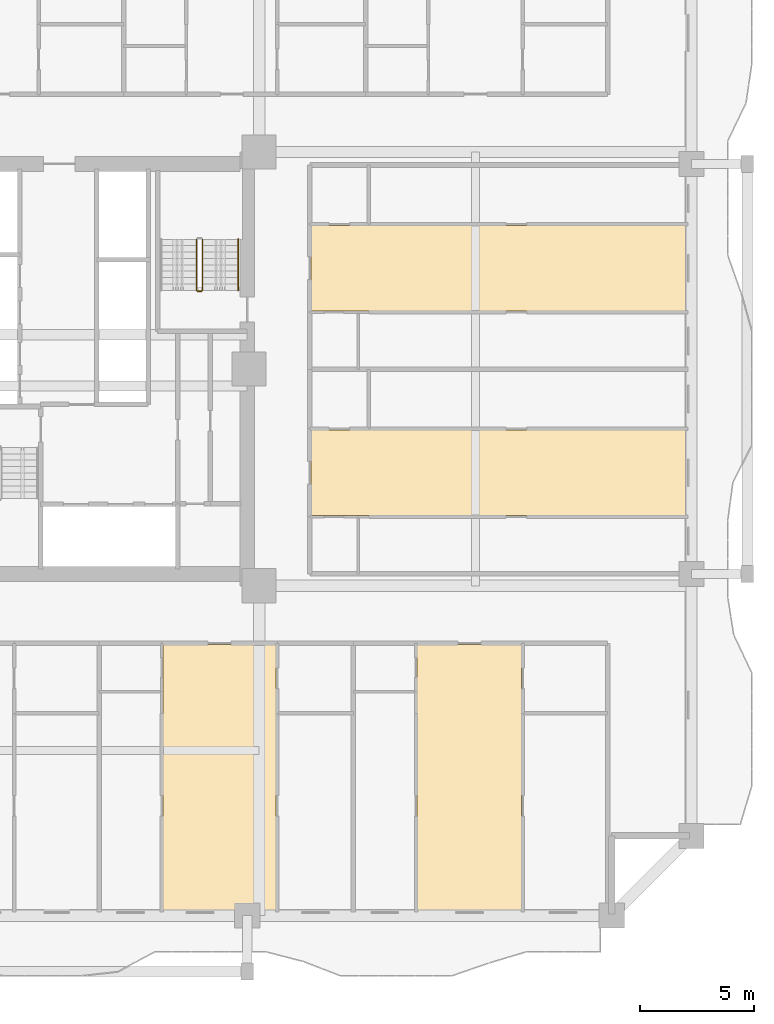
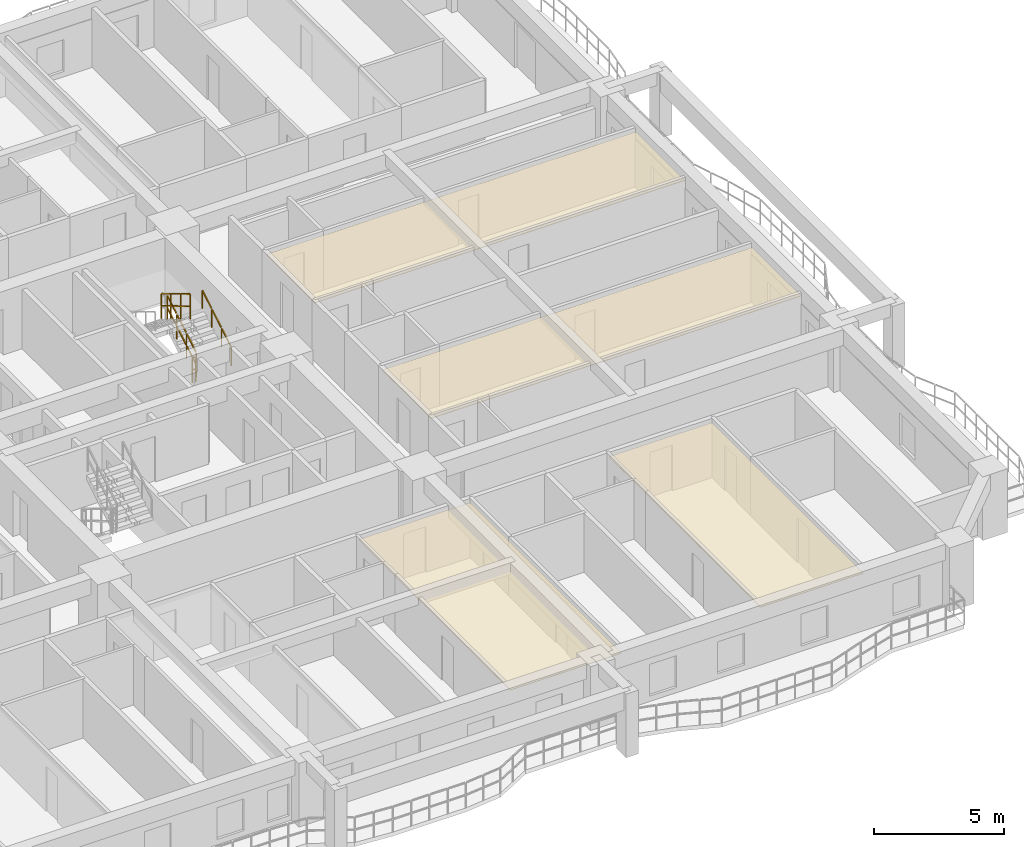
# One storey, part 13 of 16: 4 coverings, 4 railings.
"""IFC4 building model written with IfcOpenShell, lengths in metres."""

from ifc_helpers import new_model, si_unit, direction, frame, origin, origin_2d, place, context, subcontext, project, spatial, polyline, rectangle, outline, extrude, material, layer, layer_set, type_object, element, save


model = new_model("IFC4")

# Units and contexts
model_context = context("Model", 3, precision=1e-05, world=origin(), true_north=direction((0.0, 1.0)))
body_context = subcontext(model_context, "Body", "Model", "MODEL_VIEW")
ifc_project = project(units=[si_unit("LENGTHUNIT", "METRE"), si_unit("AREAUNIT", "SQUARE_METRE"), si_unit("VOLUMEUNIT", "CUBIC_METRE"), si_unit("PLANEANGLEUNIT", "RADIAN"), si_unit("MASSUNIT", "GRAM", prefix="KILO")], contexts=[model_context])

# Site, building, storey
site_placement = place(None, origin())
site = spatial("IfcSite", under=ifc_project, at=site_placement, CompositionType="ELEMENT")
building_placement = place(site_placement, origin())
building = spatial("IfcBuilding", under=site, at=building_placement, Name="Saelheon Loggia Tower", CompositionType="ELEMENT")
storey_placement = place(building_placement, frame((0.0, 0.0, 64.39990234375)))
storey = spatial("IfcBuildingStorey", under=building, at=storey_placement, Name="L20", CompositionType="ELEMENT", Elevation=64.39990234375)

# Coverings
ifc_material_1 = material(Name="Mineral-Fibre Acoustic Ceiling Board", Category="gypsum")
ifc_layer = layer(ifc_material_1, 0.02490234375)
ifc_layer_set = layer_set([ifc_layer], Name="Mineral-Fibre Acoustic Ceiling Board")
covering_type = type_object("IfcCoveringType", Name="Cov_Ceiling_Acoustic", PredefinedType="CEILING", material=ifc_layer_set)
covering_1_placement = place(storey_placement, frame((0.0, 0.0, 2.53515625)))
element("IfcCovering", 1, at=covering_1_placement, inside=storey, type_object=covering_type, Name="L20 Acoustic Suspended Ceiling", PredefinedType="CEILING", context=body_context, shape_type="SweptSolid", body=[
    extrude(outline(polyline([(40.800048828125, 3.199951171875), (45.77001953125, 3.199951171875), (45.77001953125, 14.89990234375), (40.800048828125, 14.89990234375), (40.800048828125, 3.199951171875)])), origin(), (0.0, 0.0, 1.0), 0.02490234375),
])
covering_2_placement = place(storey_placement, frame((0.0, 0.0, 2.53515625)))
element("IfcCovering", 2, at=covering_2_placement, inside=storey, type_object=covering_type, Name="L20 Acoustic Suspended Ceiling", PredefinedType="CEILING", context=body_context, shape_type="SweptSolid", body=[
    extrude(outline(polyline([(51.9599609375, 3.199951171875), (56.547119140625, 3.199951171875), (56.547119140625, 14.89990234375), (51.9599609375, 14.89990234375), (51.9599609375, 3.199951171875)])), origin(), (0.0, 0.0, 1.0), 0.02490234375),
])
covering_3_placement = place(storey_placement, frame((0.0, 0.0, 2.53515625)))
element("IfcCovering", 3, at=covering_3_placement, inside=storey, type_object=covering_type, Name="L20 Acoustic Suspended Ceiling", PredefinedType="CEILING", context=body_context, shape_type="SweptSolid", body=[
    extrude(outline(polyline([(47.300048828125, 20.56298828125), (63.800048828125, 20.56298828125), (63.800048828125, 24.324951171875), (47.300048828125, 24.324951171875), (47.300048828125, 20.56298828125)])), origin(), (0.0, 0.0, 1.0), 0.02490234375),
])
covering_4_placement = place(storey_placement, frame((0.0, 0.0, 2.53515625)))
element("IfcCovering", 4, at=covering_4_placement, inside=storey, type_object=covering_type, Name="L20 Acoustic Suspended Ceiling", PredefinedType="CEILING", context=body_context, shape_type="SweptSolid", body=[
    extrude(outline(polyline([(47.300048828125, 29.5380859375), (63.800048828125, 29.5380859375), (63.800048828125, 33.300048828125), (47.300048828125, 33.300048828125), (47.300048828125, 29.5380859375)])), origin(), (0.0, 0.0, 1.0), 0.02490234375),
])

# Railings
ifc_material_2 = material(Name="Galvanised Steel S275 Stairwell Guardrail", Category="steel")
railing_type_1 = type_object("IfcRailingType", Name="Guard_StairWell_RL_STG", PredefinedType="GUARDRAIL", material=ifc_material_2)
railing_1_placement = place(storey_placement, frame((42.5400390625, 30.449951171875, 0.166748046875)))
element("IfcRailing", 5, at=railing_1_placement, inside=storey, type_object=railing_type_1, Name="L20 ST2 stair guard 1", PredefinedType="GUARDRAIL", context=body_context, shape_type="SweptSolid", body=[
    extrude(rectangle(XDim=0.048095703125, YDim=0.048095703125, at=origin_2d()), frame((0.0, 0.028564453125, 1.19287109375), z_axis=(0.0, 0.859305625298, 0.511462454469), x_axis=(-1.0, 0.0, 0.0)), (0.0, 0.0, 1.0), 0.802490234375),
    extrude(rectangle(XDim=0.048095703125, YDim=0.048095703125, at=origin_2d()), frame((0.0, 0.028564453125, 0.616943359375), z_axis=(0.0, 0.859305625298, 0.511462454469), x_axis=(-1.0, 0.0, 0.0)), (0.0, 0.0, 1.0), 0.802490234375),
    extrude(rectangle(XDim=0.048095703125, YDim=0.048095703125, at=origin_2d()), frame((0.0, 0.775146484375, 1.63720703125), z_axis=(0.0, 0.859305625298, 0.511462454469), x_axis=(-1.0, 0.0, 0.0)), (0.0, 0.0, 1.0), 0.802490234375),
    extrude(rectangle(XDim=0.048095703125, YDim=0.048095703125, at=origin_2d()), frame((0.0, 0.775146484375, 1.061279296875), z_axis=(0.0, 0.859305625298, 0.511462454469), x_axis=(-1.0, 0.0, 0.0)), (0.0, 0.0, 1.0), 0.802490234375),
    extrude(rectangle(XDim=0.048095703125, YDim=0.048095703125, at=origin_2d()), frame((0.0, 1.52197265625, 2.081787109375), z_axis=(0.0, 0.859305625298, 0.511462454469), x_axis=(-1.0, 0.0, 0.0)), (0.0, 0.0, 1.0), 0.802490234375),
    extrude(rectangle(XDim=0.048095703125, YDim=0.048095703125, at=origin_2d()), frame((0.0, 1.52197265625, 1.505859375), z_axis=(0.0, 0.859305625298, 0.511462454469), x_axis=(-1.0, 0.0, 0.0)), (0.0, 0.0, 1.0), 0.802490234375),
    extrude(rectangle(XDim=0.0419921875, YDim=0.0419921875, at=origin_2d()), origin(), (0.0, 0.0, 1.0), 1.14794921875),
    extrude(rectangle(XDim=0.0419921875, YDim=0.0419921875, at=origin_2d()), frame((0.0, 0.74658203125, 0.4443359375)), (0.0, 0.0, 1.0), 1.14794921875),
    extrude(rectangle(XDim=0.0419921875, YDim=0.0419921875, at=origin_2d()), frame((0.0, 1.493408203125, 0.888916015625)), (0.0, 0.0, 1.0), 1.14794921875),
    extrude(rectangle(XDim=0.0419921875, YDim=0.0419921875, at=origin_2d()), frame((0.0, 2.239990234375, 1.333251953125)), (0.0, 0.0, 1.0), 1.14794921875),
])
railing_2_placement = place(storey_placement, frame((42.280029296875, 32.68994140625, 1.666748046875)))
element("IfcRailing", 6, at=railing_2_placement, inside=storey, type_object=railing_type_1, Name="L20 ST2 stair guard 3", PredefinedType="GUARDRAIL", context=body_context, shape_type="SweptSolid", body=[
    extrude(rectangle(XDim=0.048095703125, YDim=0.048095703125, at=origin_2d()), frame((0.0, -0.028564453125, 1.19287109375), z_axis=(0.0, -0.859305625298, 0.511462454469), x_axis=(1.0, 0.0, 0.0)), (0.0, 0.0, 1.0), 0.802490234375),
    extrude(rectangle(XDim=0.048095703125, YDim=0.048095703125, at=origin_2d()), frame((0.0, -0.028564453125, 0.616943359375), z_axis=(0.0, -0.859305625298, 0.511462454469), x_axis=(1.0, 0.0, 0.0)), (0.0, 0.0, 1.0), 0.802490234375),
    extrude(rectangle(XDim=0.048095703125, YDim=0.048095703125, at=origin_2d()), frame((0.0, -0.775146484375, 1.63720703125), z_axis=(0.0, -0.859305625298, 0.511462454469), x_axis=(1.0, 0.0, 0.0)), (0.0, 0.0, 1.0), 0.802490234375),
    extrude(rectangle(XDim=0.048095703125, YDim=0.048095703125, at=origin_2d()), frame((0.0, -0.775146484375, 1.061279296875), z_axis=(0.0, -0.859305625298, 0.511462454469), x_axis=(1.0, 0.0, 0.0)), (0.0, 0.0, 1.0), 0.802490234375),
    extrude(rectangle(XDim=0.048095703125, YDim=0.048095703125, at=origin_2d()), frame((0.0, -1.52197265625, 2.081787109375), z_axis=(0.0, -0.859305625298, 0.511462454469), x_axis=(1.0, 0.0, 0.0)), (0.0, 0.0, 1.0), 0.802490234375),
    extrude(rectangle(XDim=0.048095703125, YDim=0.048095703125, at=origin_2d()), frame((0.0, -1.52197265625, 1.505859375), z_axis=(0.0, -0.859305625298, 0.511462454469), x_axis=(1.0, 0.0, 0.0)), (0.0, 0.0, 1.0), 0.802490234375),
    extrude(rectangle(XDim=0.0419921875, YDim=0.0419921875, at=origin_2d()), origin(), (0.0, 0.0, 1.0), 1.14794921875),
    extrude(rectangle(XDim=0.0419921875, YDim=0.0419921875, at=origin_2d()), frame((0.0, -0.74658203125, 0.4443359375)), (0.0, 0.0, 1.0), 1.14794921875),
    extrude(rectangle(XDim=0.0419921875, YDim=0.0419921875, at=origin_2d()), frame((0.0, -1.493408203125, 0.888916015625)), (0.0, 0.0, 1.0), 1.14794921875),
    extrude(rectangle(XDim=0.0419921875, YDim=0.0419921875, at=origin_2d()), frame((0.0, -2.239990234375, 1.333251953125)), (0.0, 0.0, 1.0), 1.14794921875),
])
railing_3_placement = place(storey_placement, frame((42.489990234375, 30.39990234375, 0.0)))
element("IfcRailing", 7, at=railing_3_placement, inside=storey, type_object=railing_type_1, Name="L20 ST2 stair guard 4", PredefinedType="GUARDRAIL", context=body_context, shape_type="SweptSolid", body=[
    extrude(rectangle(XDim=0.048095703125, YDim=0.048095703125, at=origin_2d()), frame((-0.033203125, 0.0, 1.17578125), z_axis=(-1.0, 0.0, 0.0), x_axis=(0.0, -1.0, 0.0)), (0.0, 0.0, 1.0), 0.093505859375),
    extrude(rectangle(XDim=0.048095703125, YDim=0.048095703125, at=origin_2d()), frame((-0.033203125, 0.0, 0.60009765625), z_axis=(-1.0, 0.0, 0.0), x_axis=(0.0, -1.0, 0.0)), (0.0, 0.0, 1.0), 0.093505859375),
    extrude(rectangle(XDim=0.0419921875, YDim=0.0419921875, at=origin_2d()), origin(), (0.0, 0.0, 1.0), 1.14794921875),
    extrude(rectangle(XDim=0.0419921875, YDim=0.0419921875, at=origin_2d()), frame((-0.159912109375, 0.0, 0.0)), (0.0, 0.0, 1.0), 1.14794921875),
])
ifc_material_3 = material(Name="Stainless Steel 304 Tubular Handrail", Category="steel")
railing_type_2 = type_object("IfcRailingType", Name="Handrail_Stair_RL_HR1", PredefinedType="HANDRAIL", material=ifc_material_3)
railing_4_placement = place(storey_placement, frame((44.10009765625, 30.449951171875, 0.166748046875)))
element("IfcRailing", 8, at=railing_4_placement, inside=storey, type_object=railing_type_2, Name="L20 ST2 stair handrail 1", PredefinedType="HANDRAIL", context=body_context, shape_type="SweptSolid", body=[
    extrude(rectangle(XDim=0.048095703125, YDim=0.048095703125, at=origin_2d()), frame((0.0, 0.028564453125, 0.892822265625), z_axis=(0.0, 0.859305625298, 0.511462454469), x_axis=(-1.0, 0.0, 0.0)), (0.0, 0.0, 1.0), 0.802490234375),
    extrude(rectangle(XDim=0.048095703125, YDim=0.048095703125, at=origin_2d()), frame((0.0, 0.775146484375, 1.337158203125), z_axis=(0.0, 0.859305625298, 0.511462454469), x_axis=(-1.0, 0.0, 0.0)), (0.0, 0.0, 1.0), 0.802490234375),
    extrude(rectangle(XDim=0.048095703125, YDim=0.048095703125, at=origin_2d()), frame((0.0, 1.52197265625, 1.78173828125), z_axis=(0.0, 0.859305625298, 0.511462454469), x_axis=(-1.0, 0.0, 0.0)), (0.0, 0.0, 1.0), 0.802490234375),
    extrude(rectangle(XDim=0.0419921875, YDim=0.0419921875, at=origin_2d()), origin(), (0.0, 0.0, 1.0), 0.847900390625),
    extrude(rectangle(XDim=0.0419921875, YDim=0.0419921875, at=origin_2d()), frame((0.0, 0.74658203125, 0.4443359375)), (0.0, 0.0, 1.0), 0.847900390625),
    extrude(rectangle(XDim=0.0419921875, YDim=0.0419921875, at=origin_2d()), frame((0.0, 1.493408203125, 0.888916015625)), (0.0, 0.0, 1.0), 0.847900390625),
    extrude(rectangle(XDim=0.0419921875, YDim=0.0419921875, at=origin_2d()), frame((0.0, 2.239990234375, 1.333251953125)), (0.0, 0.0, 1.0), 0.847900390625),
])

save(model, "model.ifc")
